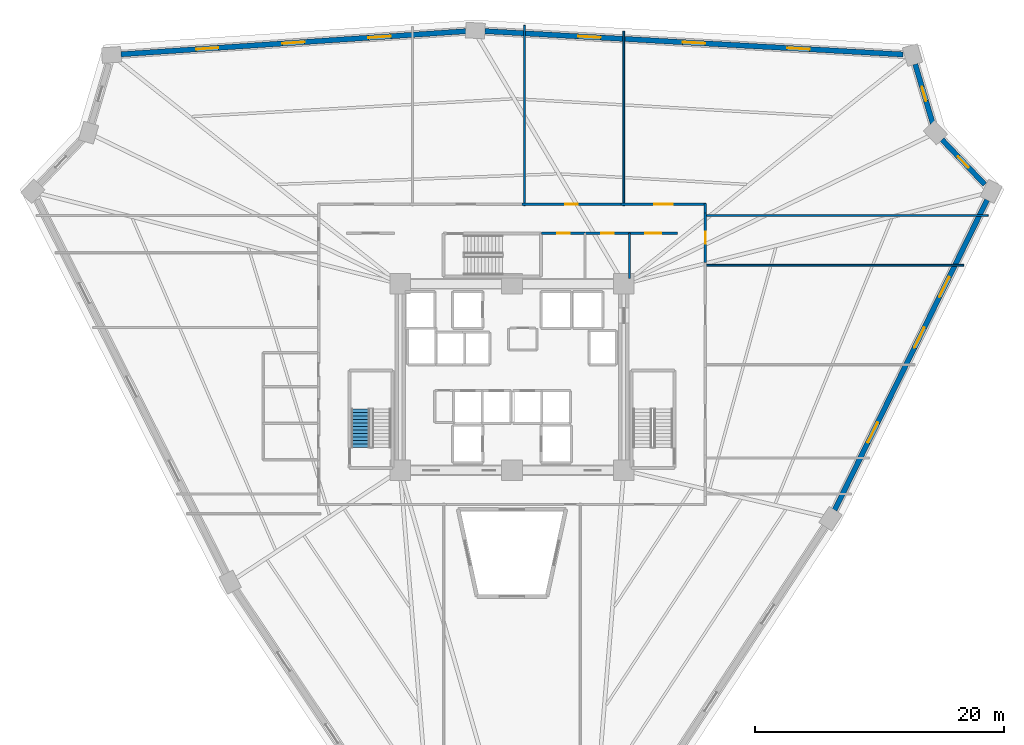
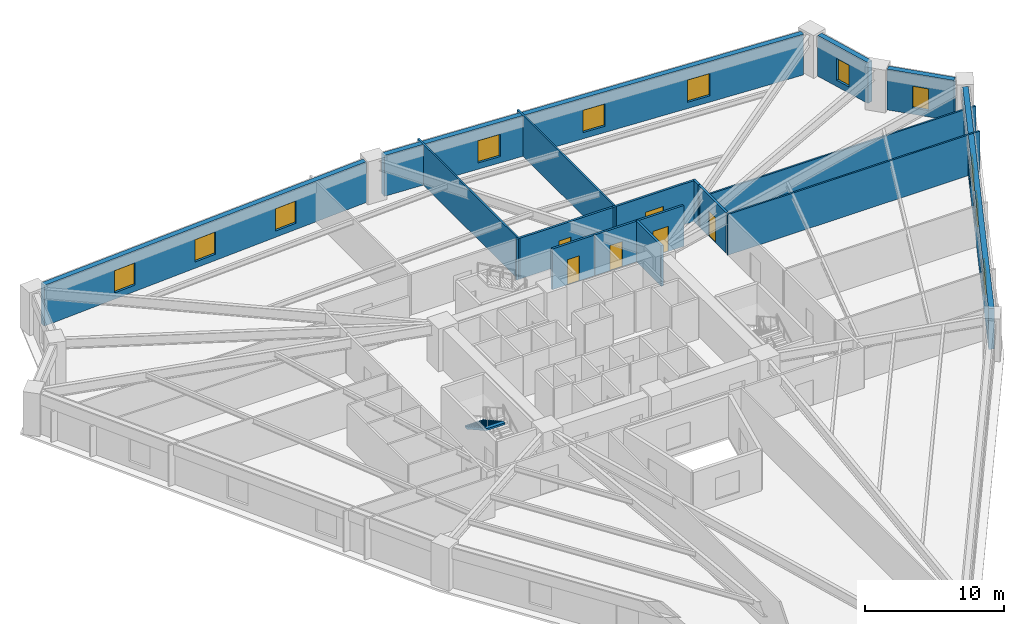
# One storey, part 7 of 9: 17 walls, 11 windows, 6 doors, 1 stair flight, 17 openings, 1 element without a shape of its own.
"""IFC4 building model written with IfcOpenShell, lengths in metres."""

from ifc_helpers import new_model, si_unit, direction, frame, frame_2d, origin, place, context, subcontext, project, spatial, polyline, rectangle, outline, extrude, source, transform, mapped, material, layer, layer_set, type_object, element, fill, aggregate, save


model = new_model("IFC4")

# Units and contexts
model_context = context("Model", 3, precision=1e-05, world=origin(), true_north=direction((0.0, 1.0)))
body_context = subcontext(model_context, "Body", "Model", "MODEL_VIEW")
ifc_project = project(units=[si_unit("LENGTHUNIT", "METRE"), si_unit("AREAUNIT", "SQUARE_METRE"), si_unit("VOLUMEUNIT", "CUBIC_METRE"), si_unit("PLANEANGLEUNIT", "RADIAN"), si_unit("MASSUNIT", "GRAM", prefix="KILO")], contexts=[model_context])

# Site, building, storey
site_placement = place(None, origin())
site = spatial("IfcSite", under=ifc_project, at=site_placement, CompositionType="ELEMENT")
building_placement = place(site_placement, origin())
building = spatial("IfcBuilding", under=site, at=building_placement, Name="Liaohun Quay Tower", CompositionType="ELEMENT")
storey_placement = place(building_placement, frame((0.0, 0.0, 59.25)))
storey = spatial("IfcBuildingStorey", under=building, at=storey_placement, Name="L15", CompositionType="ELEMENT", Elevation=59.25)

# Wall, openings, windows
ifc_material_1 = material(Name="Precast concrete C50 insulated sandwich", Category="concrete")
ifc_layer_1 = layer(ifc_material_1, 0.419921875, Name="Precast concrete C50 insulated sandwich", Category="concrete")
ifc_layer_set_1 = layer_set([ifc_layer_1], Name="Precast concrete C50 insulated sandwich")
wall_type_1 = type_object("IfcWallType", Name="WAL-EXT-Z12", PredefinedType="SOLIDWALL", material=ifc_layer_set_1)
wall_1_placement = place(storey_placement, frame((85.967041015625, 43.301025390625, 0.0), z_axis=(0.0, 0.0, 1.0), x_axis=(0.441079786623, 0.897467894597, 0.0)))
wall_1 = element("IfcWall", 1, at=wall_1_placement, inside=storey, type_object=wall_type_1, Name="L15 Brutalist Precast Pier Wall 03", PredefinedType="SOLIDWALL", context=body_context, shape_type="SweptSolid", body=[
    extrude(rectangle(XDim=27.813720703125, YDim=0.419921875, at=frame_2d((13.90673828125, 0.0))), origin(), (0.0, 0.0, 1.0), 3.570068359375),
])
shared_shape_1 = source(origin(), body_context, "Body", "SweptSolid", [
    extrude(rectangle(XDim=1.800048828125, YDim=1.949951171875, at=frame_2d((0.89990234375, 0.97509765625))), frame((0.0, 0.219970703125, 0.0), z_axis=(0.0, -1.0, 0.0), x_axis=(1.0, 0.0, 0.0)), (0.0, 0.0, 1.0), 0.43994140625),
])
opening_1_placement = place(wall_1_placement, frame((6.052978515625, 0.0, 0.550048828125)))
opening_1 = element("IfcOpeningElement", 2, at=opening_1_placement, cuts=wall_1, Name="Opening W01", PredefinedType="OPENING", context=body_context, shape_type="MappedRepresentation", body=[
    mapped(shared_shape_1, transform((0.0, 0.0, 0.0), x_axis=(1.0, 0.0, 0.0), y_axis=(0.0, 1.0, 0.0), z_axis=(0.0, 0.0, 1.0), scale=1.0)),
])
opening_2_placement = place(wall_1_placement, frame((14.556884765625, 0.0, 0.550048828125)))
opening_2 = element("IfcOpeningElement", 3, at=opening_2_placement, cuts=wall_1, Name="Opening W01", PredefinedType="OPENING", context=body_context, shape_type="MappedRepresentation", body=[
    mapped(shared_shape_1, transform((0.0, 0.0, 0.0), x_axis=(1.0, 0.0, 0.0), y_axis=(0.0, 1.0, 0.0), z_axis=(0.0, 0.0, 1.0), scale=1.0)),
])
opening_3_placement = place(wall_1_placement, frame((19.110107421875, 0.0, 0.550048828125)))
opening_3 = element("IfcOpeningElement", 4, at=opening_3_placement, cuts=wall_1, Name="Opening W01", PredefinedType="OPENING", context=body_context, shape_type="MappedRepresentation", body=[
    mapped(shared_shape_1, transform((0.0, 0.0, 0.0), x_axis=(1.0, 0.0, 0.0), y_axis=(0.0, 1.0, 0.0), z_axis=(0.0, 0.0, 1.0), scale=1.0)),
])
ifc_material_2 = material(Name="Triple Low-E argon glazing in thermally broken aluminium", Category="aluminium")
window_type_1 = type_object("IfcWindowType", Name="WIN-PUN-Z1", PartitioningType="DOUBLE_PANEL_VERTICAL", PredefinedType="WINDOW", material=ifc_material_2)
shared_shape_2 = source(origin(), body_context, "Body", "SweptSolid", [
    extrude(rectangle(XDim=1.800048828125, YDim=1.949951171875, at=frame_2d((0.89990234375, 0.97509765625))), frame((0.0, 0.030029296875, 0.0), z_axis=(0.0, -1.0, 0.0), x_axis=(1.0, 0.0, 0.0)), (0.0, 0.0, 1.0), 0.06005859375),
])
window_1_placement = place(opening_1_placement, origin())
window_1 = element("IfcWindow", 5, at=window_1_placement, inside=storey, type_object=window_type_1, Name="L15 Recessed Cold-Climate Punched Window 03-1", OverallHeight=1.949951171875, OverallWidth=1.800048828125, PartitioningType="DOUBLE_PANEL_VERTICAL", PredefinedType="WINDOW", context=body_context, shape_type="MappedRepresentation", body=[
    mapped(shared_shape_2, transform((0.0, 0.0, 0.0), x_axis=(1.0, 0.0, 0.0), y_axis=(0.0, 1.0, 0.0), z_axis=(0.0, 0.0, 1.0), scale=1.0)),
])
fill(opening_1, window_1)
window_2_placement = place(opening_2_placement, origin())
window_2 = element("IfcWindow", 6, at=window_2_placement, inside=storey, type_object=window_type_1, Name="L15 Recessed Cold-Climate Punched Window 03-2", OverallHeight=1.949951171875, OverallWidth=1.800048828125, PartitioningType="DOUBLE_PANEL_VERTICAL", PredefinedType="WINDOW", context=body_context, shape_type="MappedRepresentation", body=[
    mapped(shared_shape_2, transform((0.0, 0.0, 0.0), x_axis=(1.0, 0.0, 0.0), y_axis=(0.0, 1.0, 0.0), z_axis=(0.0, 0.0, 1.0), scale=1.0)),
])
fill(opening_2, window_2)
window_3_placement = place(opening_3_placement, origin())
window_3 = element("IfcWindow", 7, at=window_3_placement, inside=storey, type_object=window_type_1, Name="L15 Recessed Cold-Climate Punched Window 03-3", OverallHeight=1.949951171875, OverallWidth=1.800048828125, PartitioningType="DOUBLE_PANEL_VERTICAL", PredefinedType="WINDOW", context=body_context, shape_type="MappedRepresentation", body=[
    mapped(shared_shape_2, transform((0.0, 0.0, 0.0), x_axis=(1.0, 0.0, 0.0), y_axis=(0.0, 1.0, 0.0), z_axis=(0.0, 0.0, 1.0), scale=1.0)),
])
fill(opening_3, window_3)

# Wall, opening, window
wall_2_placement = place(storey_placement, frame((98.044921875, 69.50390625, 0.0), z_axis=(0.0, 0.0, 1.0), x_axis=(-0.689330241698, 0.724447249895, 0.0)))
wall_2 = element("IfcWall", 8, at=wall_2_placement, inside=storey, type_object=wall_type_1, Name="L15 Brutalist Precast Pier Wall 04", PredefinedType="SOLIDWALL", context=body_context, shape_type="SweptSolid", body=[
    extrude(rectangle(XDim=4.99169921875, YDim=0.419921875, at=frame_2d((2.495849609375, 0.0))), origin(), (0.0, 0.0, 1.0), 3.570068359375),
])
shared_shape_3 = source(origin(), body_context, "Body", "SweptSolid", [
    extrude(rectangle(XDim=1.199951171875, YDim=1.89990234375, at=frame_2d((0.60009765625, 0.949951171875))), frame((0.0, 0.219970703125, 0.0), z_axis=(0.0, -1.0, 0.0), x_axis=(1.0, 0.0, 0.0)), (0.0, 0.0, 1.0), 0.43994140625),
])
opening_4_placement = place(wall_2_placement, frame((1.89599609375, 0.0, 0.550048828125)))
opening_4 = element("IfcOpeningElement", 9, at=opening_4_placement, cuts=wall_2, Name="Opening W05", PredefinedType="OPENING", context=body_context, shape_type="MappedRepresentation", body=[
    mapped(shared_shape_3, transform((0.0, 0.0, 0.0), x_axis=(1.0, 0.0, 0.0), y_axis=(0.0, 1.0, 0.0), z_axis=(0.0, 0.0, 1.0), scale=1.0)),
])
ifc_material_3 = material(Name="Triple Low-E corner notch glazing", Category="glass")
window_type_2 = type_object("IfcWindowType", Name="WIN-NOTCH", PartitioningType="SINGLE_PANEL", PredefinedType="WINDOW", material=ifc_material_3)
shared_shape_4 = source(origin(), body_context, "Body", "SweptSolid", [
    extrude(rectangle(XDim=1.199951171875, YDim=1.89990234375, at=frame_2d((0.60009765625, 0.949951171875))), frame((0.0, 0.030029296875, 0.0), z_axis=(0.0, -1.0, 0.0), x_axis=(1.0, 0.0, 0.0)), (0.0, 0.0, 1.0), 0.06005859375),
])
window_4_placement = place(opening_4_placement, origin())
window_4 = element("IfcWindow", 10, at=window_4_placement, inside=storey, type_object=window_type_2, Name="L15 Corner Notch Window W05-04", OverallHeight=1.89990234375, OverallWidth=1.199951171875, PartitioningType="SINGLE_PANEL", PredefinedType="WINDOW", context=body_context, shape_type="MappedRepresentation", body=[
    mapped(shared_shape_4, transform((0.0, 0.0, 0.0), x_axis=(1.0, 0.0, 0.0), y_axis=(0.0, 1.0, 0.0), z_axis=(0.0, 0.0, 1.0), scale=1.0)),
])
fill(opening_4, window_4)

wall_3_placement = place(storey_placement, frame((93.861083984375, 74.407958984375, 0.0), z_axis=(0.0, 0.0, 1.0), x_axis=(-0.282900765271, 0.959149183917, 0.0)))
wall_3 = element("IfcWall", 11, at=wall_3_placement, inside=storey, type_object=wall_type_1, Name="L15 Brutalist Precast Pier Wall 05", PredefinedType="SOLIDWALL", context=body_context, shape_type="SweptSolid", body=[
    extrude(rectangle(XDim=4.984619140625, YDim=0.419921875, at=frame_2d((2.4921875, 0.0))), origin(), (0.0, 0.0, 1.0), 3.570068359375),
])
opening_5_placement = place(wall_3_placement, frame((1.89208984375, 0.0, 0.550048828125)))
opening_5 = element("IfcOpeningElement", 12, at=opening_5_placement, cuts=wall_3, Name="Opening W05", PredefinedType="OPENING", context=body_context, shape_type="MappedRepresentation", body=[
    mapped(shared_shape_3, transform((0.0, 0.0, 0.0), x_axis=(1.0, 0.0, 0.0), y_axis=(0.0, 1.0, 0.0), z_axis=(0.0, 0.0, 1.0), scale=1.0)),
])
window_5_placement = place(opening_5_placement, origin())
window_5 = element("IfcWindow", 13, at=window_5_placement, inside=storey, type_object=window_type_2, Name="L15 Corner Notch Window W05-05", OverallHeight=1.89990234375, OverallWidth=1.199951171875, PartitioningType="SINGLE_PANEL", PredefinedType="WINDOW", context=body_context, shape_type="MappedRepresentation", body=[
    mapped(shared_shape_4, transform((0.0, 0.0, 0.0), x_axis=(1.0, 0.0, 0.0), y_axis=(0.0, 1.0, 0.0), z_axis=(0.0, 0.0, 1.0), scale=1.0)),
])
fill(opening_5, window_5)

# Wall, openings, windows
wall_4_placement = place(storey_placement, frame((91.470947265625, 79.966064453125, 0.0), z_axis=(0.0, 0.0, 1.0), x_axis=(-0.998444156387, 0.055760797854, 0.0)))
wall_4 = element("IfcWall", 14, at=wall_4_placement, inside=storey, type_object=wall_type_1, Name="L15 Brutalist Precast Pier Wall 06", PredefinedType="SOLIDWALL", context=body_context, shape_type="SweptSolid", body=[
    extrude(rectangle(XDim=33.71337890625, YDim=0.419921875, at=frame_2d((16.856689453125, 0.0))), origin(), (0.0, 0.0, 1.0), 3.570068359375),
])
opening_6_placement = place(wall_4_placement, frame((7.528076171875, 0.0, 0.550048828125)))
opening_6 = element("IfcOpeningElement", 15, at=opening_6_placement, cuts=wall_4, Name="Opening W01", PredefinedType="OPENING", context=body_context, shape_type="MappedRepresentation", body=[
    mapped(shared_shape_1, transform((0.0, 0.0, 0.0), x_axis=(1.0, 0.0, 0.0), y_axis=(0.0, 1.0, 0.0), z_axis=(0.0, 0.0, 1.0), scale=1.0)),
])
opening_7_placement = place(wall_4_placement, frame((15.95703125, 0.0, 0.550048828125)))
opening_7 = element("IfcOpeningElement", 16, at=opening_7_placement, cuts=wall_4, Name="Opening W01", PredefinedType="OPENING", context=body_context, shape_type="MappedRepresentation", body=[
    mapped(shared_shape_1, transform((0.0, 0.0, 0.0), x_axis=(1.0, 0.0, 0.0), y_axis=(0.0, 1.0, 0.0), z_axis=(0.0, 0.0, 1.0), scale=1.0)),
])
opening_8_placement = place(wall_4_placement, frame((24.385009765625, 0.0, 0.550048828125)))
opening_8 = element("IfcOpeningElement", 17, at=opening_8_placement, cuts=wall_4, Name="Opening W01", PredefinedType="OPENING", context=body_context, shape_type="MappedRepresentation", body=[
    mapped(shared_shape_1, transform((0.0, 0.0, 0.0), x_axis=(1.0, 0.0, 0.0), y_axis=(0.0, 1.0, 0.0), z_axis=(0.0, 0.0, 1.0), scale=1.0)),
])
window_6_placement = place(opening_6_placement, origin())
window_6 = element("IfcWindow", 18, at=window_6_placement, inside=storey, type_object=window_type_1, Name="L15 Recessed Cold-Climate Punched Window 06-1", OverallHeight=1.949951171875, OverallWidth=1.800048828125, PartitioningType="DOUBLE_PANEL_VERTICAL", PredefinedType="WINDOW", context=body_context, shape_type="MappedRepresentation", body=[
    mapped(shared_shape_2, transform((0.0, 0.0, 0.0), x_axis=(1.0, 0.0, 0.0), y_axis=(0.0, 1.0, 0.0), z_axis=(0.0, 0.0, 1.0), scale=1.0)),
])
fill(opening_6, window_6)
window_7_placement = place(opening_7_placement, origin())
window_7 = element("IfcWindow", 19, at=window_7_placement, inside=storey, type_object=window_type_1, Name="L15 Recessed Cold-Climate Punched Window 06-2", OverallHeight=1.949951171875, OverallWidth=1.800048828125, PartitioningType="DOUBLE_PANEL_VERTICAL", PredefinedType="WINDOW", context=body_context, shape_type="MappedRepresentation", body=[
    mapped(shared_shape_2, transform((0.0, 0.0, 0.0), x_axis=(1.0, 0.0, 0.0), y_axis=(0.0, 1.0, 0.0), z_axis=(0.0, 0.0, 1.0), scale=1.0)),
])
fill(opening_7, window_7)
window_8_placement = place(opening_8_placement, origin())
window_8 = element("IfcWindow", 20, at=window_8_placement, inside=storey, type_object=window_type_1, Name="L15 Recessed Cold-Climate Punched Window 06-3", OverallHeight=1.949951171875, OverallWidth=1.800048828125, PartitioningType="DOUBLE_PANEL_VERTICAL", PredefinedType="WINDOW", context=body_context, shape_type="MappedRepresentation", body=[
    mapped(shared_shape_2, transform((0.0, 0.0, 0.0), x_axis=(1.0, 0.0, 0.0), y_axis=(0.0, 1.0, 0.0), z_axis=(0.0, 0.0, 1.0), scale=1.0)),
])
fill(opening_8, window_8)

wall_5_placement = place(storey_placement, frame((56.282958984375, 81.837890625, 0.0), z_axis=(0.0, 0.0, 1.0), x_axis=(-0.99776671065, -0.066795142933, 0.0)))
wall_5 = element("IfcWall", 21, at=wall_5_placement, inside=storey, type_object=wall_type_1, Name="L15 Brutalist Precast Pier Wall 07", PredefinedType="SOLIDWALL", context=body_context, shape_type="SweptSolid", body=[
    extrude(rectangle(XDim=27.81494140625, YDim=0.419921875, at=frame_2d((13.907470703125, 0.0))), origin(), (0.0, 0.0, 1.0), 3.570068359375),
])
opening_9_placement = place(wall_5_placement, frame((6.053955078125, 0.0, 0.550048828125)))
opening_9 = element("IfcOpeningElement", 22, at=opening_9_placement, cuts=wall_5, Name="Opening W01", PredefinedType="OPENING", context=body_context, shape_type="MappedRepresentation", body=[
    mapped(shared_shape_1, transform((0.0, 0.0, 0.0), x_axis=(1.0, 0.0, 0.0), y_axis=(0.0, 1.0, 0.0), z_axis=(0.0, 0.0, 1.0), scale=1.0)),
])
opening_10_placement = place(wall_5_placement, frame((13.008056640625, 0.0, 0.550048828125)))
opening_10 = element("IfcOpeningElement", 23, at=opening_10_placement, cuts=wall_5, Name="Opening W01", PredefinedType="OPENING", context=body_context, shape_type="MappedRepresentation", body=[
    mapped(shared_shape_1, transform((0.0, 0.0, 0.0), x_axis=(1.0, 0.0, 0.0), y_axis=(0.0, 1.0, 0.0), z_axis=(0.0, 0.0, 1.0), scale=1.0)),
])
opening_11_placement = place(wall_5_placement, frame((19.9609375, 0.0, 0.550048828125)))
opening_11 = element("IfcOpeningElement", 24, at=opening_11_placement, cuts=wall_5, Name="Opening W01", PredefinedType="OPENING", context=body_context, shape_type="MappedRepresentation", body=[
    mapped(shared_shape_1, transform((0.0, 0.0, 0.0), x_axis=(1.0, 0.0, 0.0), y_axis=(0.0, 1.0, 0.0), z_axis=(0.0, 0.0, 1.0), scale=1.0)),
])
window_9_placement = place(opening_9_placement, origin())
window_9 = element("IfcWindow", 25, at=window_9_placement, inside=storey, type_object=window_type_1, Name="L15 Recessed Cold-Climate Punched Window 07-1", OverallHeight=1.949951171875, OverallWidth=1.800048828125, PartitioningType="DOUBLE_PANEL_VERTICAL", PredefinedType="WINDOW", context=body_context, shape_type="MappedRepresentation", body=[
    mapped(shared_shape_2, transform((0.0, 0.0, 0.0), x_axis=(1.0, 0.0, 0.0), y_axis=(0.0, 1.0, 0.0), z_axis=(0.0, 0.0, 1.0), scale=1.0)),
])
fill(opening_9, window_9)
window_10_placement = place(opening_10_placement, origin())
window_10 = element("IfcWindow", 26, at=window_10_placement, inside=storey, type_object=window_type_1, Name="L15 Recessed Cold-Climate Punched Window 07-2", OverallHeight=1.949951171875, OverallWidth=1.800048828125, PartitioningType="DOUBLE_PANEL_VERTICAL", PredefinedType="WINDOW", context=body_context, shape_type="MappedRepresentation", body=[
    mapped(shared_shape_2, transform((0.0, 0.0, 0.0), x_axis=(1.0, 0.0, 0.0), y_axis=(0.0, 1.0, 0.0), z_axis=(0.0, 0.0, 1.0), scale=1.0)),
])
fill(opening_10, window_10)
window_11_placement = place(opening_11_placement, origin())
window_11 = element("IfcWindow", 27, at=window_11_placement, inside=storey, type_object=window_type_1, Name="L15 Recessed Cold-Climate Punched Window 07-3", OverallHeight=1.949951171875, OverallWidth=1.800048828125, PartitioningType="DOUBLE_PANEL_VERTICAL", PredefinedType="WINDOW", context=body_context, shape_type="MappedRepresentation", body=[
    mapped(shared_shape_2, transform((0.0, 0.0, 0.0), x_axis=(1.0, 0.0, 0.0), y_axis=(0.0, 1.0, 0.0), z_axis=(0.0, 0.0, 1.0), scale=1.0)),
])
fill(opening_11, window_11)

# Wall, opening, door
ifc_material_4 = material(Name="Autoclaved aerated concrete blockwork", Category="masonry")
ifc_layer_2 = layer(ifc_material_4, 0.179931640625, Name="Autoclaved aerated concrete blockwork", Category="masonry")
ifc_layer_set_2 = layer_set([ifc_layer_2], Name="Autoclaved aerated concrete blockwork")
wall_type_2 = type_object("IfcWallType", Name="WAL-PRT-COR", PredefinedType="PARTITIONING", material=ifc_layer_set_2)
wall_6_placement = place(storey_placement, frame((62.389892578125, 65.580078125, 0.0), z_axis=(0.0, 0.0, 1.0), x_axis=(1.0, 0.0, 0.0)))
wall_6 = element("IfcWall", 28, at=wall_6_placement, inside=storey, type_object=wall_type_2, Name="L15 Interior Partition Wall 006", PredefinedType="PARTITIONING", context=body_context, shape_type="SweptSolid", body=[
    extrude(rectangle(XDim=3.489990234375, YDim=0.179931640625, at=frame_2d((1.7451171875, 0.0))), origin(), (0.0, 0.0, 1.0), 3.570068359375),
])
shared_shape_5 = source(origin(), body_context, "Body", "SweptSolid", [
    extrude(rectangle(XDim=1.0, YDim=2.199951171875, at=frame_2d((0.5, 1.10009765625))), frame((0.0, 0.099853515625, 0.0), z_axis=(0.0, -1.0, 0.0), x_axis=(1.0, 0.0, 0.0)), (0.0, 0.0, 1.0), 0.199951171875),
])
opening_12_placement = place(wall_6_placement, frame((1.2451171875, 0.0, 0.0)))
opening_12 = element("IfcOpeningElement", 29, at=opening_12_placement, cuts=wall_6, Name="Opening OD1", PredefinedType="OPENING", context=body_context, shape_type="MappedRepresentation", body=[
    mapped(shared_shape_5, transform((0.0, 0.0, 0.0), x_axis=(1.0, 0.0, 0.0), y_axis=(0.0, 1.0, 0.0), z_axis=(0.0, 0.0, 1.0), scale=1.0)),
])
ifc_material_5 = material(Name="Solid-core oak veneer timber leaf in steel frame", Category="steel")
door_type_1 = type_object("IfcDoorType", Name="DOR-OFF-1000", OperationType="NOTDEFINED", PredefinedType="DOOR", material=ifc_material_5)
shared_shape_6 = source(origin(), body_context, "Body", "SweptSolid", [
    extrude(rectangle(XDim=1.0, YDim=2.199951171875, at=frame_2d((0.5, 1.10009765625))), frame((0.0, 0.02490234375, 0.0), z_axis=(0.0, -1.0, 0.0), x_axis=(1.0, 0.0, 0.0)), (0.0, 0.0, 1.0), 0.050048828125),
])
door_1_placement = place(opening_12_placement, origin())
door_1 = element("IfcDoor", 30, at=door_1_placement, inside=storey, type_object=door_type_1, Name="L15 North-East Archive Store Door", OperationType="SINGLE_SWING_LEFT", OverallHeight=2.199951171875, OverallWidth=1.0, PredefinedType="DOOR", context=body_context, shape_type="MappedRepresentation", body=[
    mapped(shared_shape_6, transform((0.0, 0.0, 0.0), x_axis=(1.0, 0.0, 0.0), y_axis=(0.0, 1.0, 0.0), z_axis=(0.0, 0.0, 1.0), scale=1.0)),
])
fill(opening_12, door_1)

wall_7_placement = place(storey_placement, frame((65.919921875, 65.580078125, 0.0), z_axis=(0.0, 0.0, 1.0), x_axis=(1.0, 0.0, 0.0)))
wall_7 = element("IfcWall", 31, at=wall_7_placement, inside=storey, type_object=wall_type_2, Name="L15 Interior Partition Wall 007", PredefinedType="PARTITIONING", context=body_context, shape_type="SweptSolid", body=[
    extrude(rectangle(XDim=3.5400390625, YDim=0.179931640625, at=frame_2d((1.77001953125, 0.0))), origin(), (0.0, 0.0, 1.0), 3.570068359375),
])
opening_13_placement = place(wall_7_placement, frame((1.27001953125, 0.0, 0.0)))
opening_13 = element("IfcOpeningElement", 32, at=opening_13_placement, cuts=wall_7, Name="Opening OD1", PredefinedType="OPENING", context=body_context, shape_type="MappedRepresentation", body=[
    mapped(shared_shape_5, transform((0.0, 0.0, 0.0), x_axis=(1.0, 0.0, 0.0), y_axis=(0.0, 1.0, 0.0), z_axis=(0.0, 0.0, 1.0), scale=1.0)),
])
door_2_placement = place(opening_13_placement, origin())
door_2 = element("IfcDoor", 33, at=door_2_placement, inside=storey, type_object=door_type_1, Name="L15 North-East Pantry Room Door", OperationType="SINGLE_SWING_RIGHT", OverallHeight=2.199951171875, OverallWidth=1.0, PredefinedType="DOOR", context=body_context, shape_type="MappedRepresentation", body=[
    mapped(shared_shape_6, transform((0.0, 0.0, 0.0), x_axis=(1.0, 0.0, 0.0), y_axis=(0.0, 1.0, 0.0), z_axis=(0.0, 0.0, 1.0), scale=1.0)),
])
fill(opening_13, door_2)

wall_8_placement = place(storey_placement, frame((69.4599609375, 65.580078125, 0.0), z_axis=(0.0, 0.0, 1.0), x_axis=(1.0, 0.0, 0.0)))
wall_8 = element("IfcWall", 34, at=wall_8_placement, inside=storey, type_object=wall_type_2, Name="L15 Interior Partition Wall 009", PredefinedType="PARTITIONING", context=body_context, shape_type="SweptSolid", body=[
    extrude(rectangle(XDim=3.840087890625, YDim=0.179931640625, at=frame_2d((1.919921875, 0.0))), origin(), (0.0, 0.0, 1.0), 3.570068359375),
])
shared_shape_7 = source(origin(), body_context, "Body", "SweptSolid", [
    extrude(rectangle(XDim=1.300048828125, YDim=2.199951171875, at=frame_2d((0.64990234375, 1.10009765625))), frame((0.0, 0.099853515625, 0.0), z_axis=(0.0, -1.0, 0.0), x_axis=(1.0, 0.0, 0.0)), (0.0, 0.0, 1.0), 0.199951171875),
])
opening_14_placement = place(wall_8_placement, frame((1.27001953125, 0.0, 0.0)))
opening_14 = element("IfcOpeningElement", 35, at=opening_14_placement, cuts=wall_8, Name="Opening FD1", PredefinedType="OPENING", context=body_context, shape_type="MappedRepresentation", body=[
    mapped(shared_shape_7, transform((0.0, 0.0, 0.0), x_axis=(1.0, 0.0, 0.0), y_axis=(0.0, 1.0, 0.0), z_axis=(0.0, 0.0, 1.0), scale=1.0)),
])
ifc_material_6 = material(Name="Galvanised steel smokeproof fire door", Category="steel")
door_type_2 = type_object("IfcDoorType", Name="DOR-FFL-1300", OperationType="NOTDEFINED", PredefinedType="DOOR", material=ifc_material_6)
shared_shape_8 = source(origin(), body_context, "Body", "SweptSolid", [
    extrude(rectangle(XDim=1.300048828125, YDim=2.199951171875, at=frame_2d((0.64990234375, 1.10009765625))), frame((0.0, 0.02490234375, 0.0), z_axis=(0.0, -1.0, 0.0), x_axis=(1.0, 0.0, 0.0)), (0.0, 0.0, 1.0), 0.050048828125),
])
door_3_placement = place(opening_14_placement, origin())
door_3 = element("IfcDoor", 36, at=door_3_placement, inside=storey, type_object=door_type_2, Name="L15 East Core Vestibule Door", OperationType="SINGLE_SWING_RIGHT", OverallHeight=2.199951171875, OverallWidth=1.300048828125, PredefinedType="DOOR", context=body_context, shape_type="MappedRepresentation", body=[
    mapped(shared_shape_8, transform((0.0, 0.0, 0.0), x_axis=(1.0, 0.0, 0.0), y_axis=(0.0, 1.0, 0.0), z_axis=(0.0, 0.0, 1.0), scale=1.0)),
])
fill(opening_14, door_3)

wall_9_placement = place(storey_placement, frame((75.56005859375, 67.215087890625, 0.0), z_axis=(0.0, 0.0, 1.0), x_axis=(0.0, -1.0, 0.0)))
wall_9 = element("IfcWall", 37, at=wall_9_placement, inside=storey, type_object=wall_type_2, Name="L15 Interior Partition Wall 011", PredefinedType="PARTITIONING", context=body_context, shape_type="SweptSolid", body=[
    extrude(rectangle(XDim=4.0, YDim=0.179931640625, at=frame_2d((2.0, 0.0))), origin(), (0.0, 0.0, 1.0), 3.570068359375),
])
opening_15_placement = place(wall_9_placement, frame((1.5, 0.0, 0.0)))
opening_15 = element("IfcOpeningElement", 38, at=opening_15_placement, cuts=wall_9, Name="Opening OD1", PredefinedType="OPENING", context=body_context, shape_type="MappedRepresentation", body=[
    mapped(shared_shape_5, transform((0.0, 0.0, 0.0), x_axis=(1.0, 0.0, 0.0), y_axis=(0.0, 1.0, 0.0), z_axis=(0.0, 0.0, 1.0), scale=1.0)),
])
door_4_placement = place(opening_15_placement, origin())
door_4 = element("IfcDoor", 39, at=door_4_placement, inside=storey, type_object=door_type_1, Name="L15 Digital Prototyping Laboratory 02 Door", OperationType="SINGLE_SWING_RIGHT", OverallHeight=2.199951171875, OverallWidth=1.0, PredefinedType="DOOR", context=body_context, shape_type="MappedRepresentation", body=[
    mapped(shared_shape_6, transform((0.0, 0.0, 0.0), x_axis=(1.0, 0.0, 0.0), y_axis=(0.0, 1.0, 0.0), z_axis=(0.0, 0.0, 1.0), scale=1.0)),
])
fill(opening_15, door_4)

wall_10_placement = place(storey_placement, frame((68.784912109375, 67.909912109375, 0.0), z_axis=(0.0, 0.0, 1.0), x_axis=(1.0, 0.0, 0.0)))
wall_10 = element("IfcWall", 40, at=wall_10_placement, inside=storey, type_object=wall_type_2, Name="L15 Interior Partition Wall 012", PredefinedType="PARTITIONING", context=body_context, shape_type="SweptSolid", body=[
    extrude(rectangle(XDim=6.844970703125, YDim=0.179931640625, at=frame_2d((3.42236328125, 0.0))), origin(), (0.0, 0.0, 1.0), 3.570068359375),
])
shared_shape_9 = source(origin(), body_context, "Body", "SweptSolid", [
    extrude(rectangle(XDim=1.5, YDim=2.199951171875, at=frame_2d((0.75, 1.10009765625))), frame((0.0, 0.099853515625, 0.0), z_axis=(0.0, -1.0, 0.0), x_axis=(1.0, 0.0, 0.0)), (0.0, 0.0, 1.0), 0.199951171875),
])
opening_16_placement = place(wall_10_placement, frame((2.672119140625, 0.0, 0.0)))
opening_16 = element("IfcOpeningElement", 41, at=opening_16_placement, cuts=wall_10, Name="Opening OD2", PredefinedType="OPENING", context=body_context, shape_type="MappedRepresentation", body=[
    mapped(shared_shape_9, transform((0.0, 0.0, 0.0), x_axis=(1.0, 0.0, 0.0), y_axis=(0.0, 1.0, 0.0), z_axis=(0.0, 0.0, 1.0), scale=1.0)),
])
ifc_material_7 = material(Name="Acoustic oak veneer double door")
door_type_3 = type_object("IfcDoorType", Name="DOR-OFF-1500", OperationType="DOUBLE_DOOR_SINGLE_SWING", PredefinedType="DOOR", material=ifc_material_7)
shared_shape_10 = source(origin(), body_context, "Body", "SweptSolid", [
    extrude(rectangle(XDim=1.5, YDim=2.199951171875, at=frame_2d((0.75, 1.10009765625))), frame((0.0, 0.02490234375, 0.0), z_axis=(0.0, -1.0, 0.0), x_axis=(1.0, 0.0, 0.0)), (0.0, 0.0, 1.0), 0.050048828125),
])
door_5_placement = place(opening_16_placement, origin())
door_5 = element("IfcDoor", 42, at=door_5_placement, inside=storey, type_object=door_type_3, Name="L15 Architectural Design Studio 03 Door", OperationType="DOUBLE_DOOR_SINGLE_SWING", OverallHeight=2.199951171875, OverallWidth=1.5, PredefinedType="DOOR", context=body_context, shape_type="MappedRepresentation", body=[
    mapped(shared_shape_10, transform((0.0, 0.0, 0.0), x_axis=(1.0, 0.0, 0.0), y_axis=(0.0, 1.0, 0.0), z_axis=(0.0, 0.0, 1.0), scale=1.0)),
])
fill(opening_16, door_5)

wall_11_placement = place(storey_placement, frame((60.784912109375, 67.909912109375, 0.0), z_axis=(0.0, 0.0, 1.0), x_axis=(1.0, 0.0, 0.0)))
wall_11 = element("IfcWall", 43, at=wall_11_placement, inside=storey, type_object=wall_type_2, Name="L15 Interior Partition Wall 013", PredefinedType="PARTITIONING", context=body_context, shape_type="SweptSolid", body=[
    extrude(rectangle(XDim=8.0, YDim=0.179931640625, at=frame_2d((4.0, 0.0))), origin(), (0.0, 0.0, 1.0), 3.570068359375),
])
opening_17_placement = place(wall_11_placement, frame((3.5, 0.0, 0.0)))
opening_17 = element("IfcOpeningElement", 44, at=opening_17_placement, cuts=wall_11, Name="Opening OD1", PredefinedType="OPENING", context=body_context, shape_type="MappedRepresentation", body=[
    mapped(shared_shape_5, transform((0.0, 0.0, 0.0), x_axis=(1.0, 0.0, 0.0), y_axis=(0.0, 1.0, 0.0), z_axis=(0.0, 0.0, 1.0), scale=1.0)),
])
door_6_placement = place(opening_17_placement, origin())
door_6 = element("IfcDoor", 45, at=door_6_placement, inside=storey, type_object=door_type_1, Name="L15 Project Collaboration Studio 04 Door", OperationType="SINGLE_SWING_RIGHT", OverallHeight=2.199951171875, OverallWidth=1.0, PredefinedType="DOOR", context=body_context, shape_type="MappedRepresentation", body=[
    mapped(shared_shape_6, transform((0.0, 0.0, 0.0), x_axis=(1.0, 0.0, 0.0), y_axis=(0.0, 1.0, 0.0), z_axis=(0.0, 0.0, 1.0), scale=1.0)),
])
fill(opening_17, door_6)

# Walls
wall_12_placement = place(storey_placement, frame((69.4599609375, 61.949951171875, 0.0), z_axis=(0.0, 0.0, 1.0), x_axis=(0.0, 1.0, 0.0)))
element("IfcWall", 46, at=wall_12_placement, inside=storey, type_object=wall_type_2, Name="L15 Interior Partition Wall 035", PredefinedType="PARTITIONING", context=body_context, shape_type="SweptSolid", body=[
    extrude(rectangle(XDim=3.630126953125, YDim=0.179931640625, at=frame_2d((1.81494140625, 0.0))), origin(), (0.0, 0.0, 1.0), 3.570068359375),
])
wall_13_placement = place(storey_placement, frame((75.56005859375, 67.97998046875, 0.0), z_axis=(0.0, 0.0, 1.0), x_axis=(0.0, -1.0, 0.0)))
element("IfcWall", 47, at=wall_13_placement, inside=storey, type_object=wall_type_2, Name="L15 Interior Partition Wall 036", PredefinedType="PARTITIONING", context=body_context, shape_type="SweptSolid", body=[
    extrude(rectangle(XDim=0.764892578125, YDim=0.179931640625, at=frame_2d((0.38232421875, 0.0))), origin(), (0.0, 0.0, 1.0), 3.570068359375),
])
ifc_material_8 = material(Name="Gypsum board on twin steel studs", Category="steel")
ifc_layer_3 = layer(ifc_material_8, 0.139892578125, Name="Gypsum board on twin steel studs", Category="steel")
ifc_layer_set_3 = layer_set([ifc_layer_3], Name="Gypsum board on twin steel studs")
wall_type_3 = type_object("IfcWallType", Name="WAL-PRT-OFF", PredefinedType="PARTITIONING", material=ifc_layer_set_3)
wall_14_placement = place(storey_placement, frame((75.4599609375, 63.0, 0.0), z_axis=(0.0, 0.0, 1.0), x_axis=(1.0, 0.0, 0.0)))
element("IfcWall", 48, at=wall_14_placement, inside=storey, type_object=wall_type_3, Name="L15 Interior Partition Wall 049", PredefinedType="PARTITIONING", context=body_context, shape_type="SweptSolid", body=[
    extrude(rectangle(XDim=20.89013671875, YDim=0.139892578125, at=frame_2d((10.445068359375, 0.0))), origin(), (0.0, 0.0, 1.0), 3.570068359375),
])
wall_15_placement = place(storey_placement, frame((75.4599609375, 67.0, 0.0), z_axis=(0.0, 0.0, 1.0), x_axis=(1.0, 0.0, 0.0)))
element("IfcWall", 49, at=wall_15_placement, inside=storey, type_object=wall_type_3, Name="L15 Interior Partition Wall 050", PredefinedType="PARTITIONING", context=body_context, shape_type="SweptSolid", body=[
    extrude(rectangle(XDim=22.85498046875, YDim=0.139892578125, at=frame_2d((11.427490234375, 0.0))), origin(), (0.0, 0.0, 1.0), 2.655029296875),
])
wall_16_placement = place(storey_placement, frame((61.0, 67.81005859375, 0.0), z_axis=(0.0, 0.0, 1.0), x_axis=(0.0, 1.0, 0.0)))
element("IfcWall", 50, at=wall_16_placement, inside=storey, type_object=wall_type_3, Name="L15 Interior Partition Wall 052", PredefinedType="PARTITIONING", context=body_context, shape_type="SweptSolid", body=[
    extrude(rectangle(XDim=14.489013671875, YDim=0.139892578125, at=frame_2d((7.24462890625, 0.0))), origin(), (0.0, 0.0, 1.0), 3.570068359375),
])
wall_17_placement = place(storey_placement, frame((69.0, 67.81005859375, 0.0), z_axis=(0.0, 0.0, 1.0), x_axis=(0.0, 1.0, 0.0)))
element("IfcWall", 51, at=wall_17_placement, inside=storey, type_object=wall_type_3, Name="L15 Interior Partition Wall 053", PredefinedType="PARTITIONING", context=body_context, shape_type="SweptSolid", body=[
    extrude(rectangle(XDim=14.0419921875, YDim=0.139892578125, at=frame_2d((7.02099609375, 0.0))), origin(), (0.0, 0.0, 1.0), 3.570068359375),
])

# Stair, stair flight
ifc_material_9 = material(Name="Concrete C45", Category="concrete")
stair_type = type_object("IfcStairType", Name="STR-CORE-OFF", PredefinedType="HALF_TURN_STAIR", material=ifc_material_9)
stair_placement = place(storey_placement, origin())
stair = element("IfcStair", 52, at=stair_placement, inside=storey, type_object=stair_type, Name="L15 Smokeproof Core Exit Stair ST-1", PredefinedType="HALF_TURN_STAIR")
stair_flight_type = type_object("IfcStairFlightType", Name="FLT-CORE-155", PredefinedType="STRAIGHT", material=ifc_material_9)
stair_flight_placement = place(storey_placement, frame((47.81494140625, 51.429931640625, 1.875), z_axis=(0.0, 0.0, 1.0), x_axis=(0.0, -1.0, 0.0)))
stair_flight = element("IfcStairFlight", 53, at=stair_flight_placement, type_object=stair_flight_type, Name="ST-1 flight 2", NumberOfRisers=12, NumberOfTreads=11, PredefinedType="STRAIGHT", RiserHeight=0.15625, TreadLength=0.28, context=body_context, shape_type="SweptSolid", body=[
    extrude(outline(polyline([(0.0, 0.0), (0.0, 0.15625), (0.280029296875, 0.15625), (0.280029296875, 0.3125), (0.56005859375, 0.3125), (0.56005859375, 0.46875), (0.840087890625, 0.46875), (0.840087890625, 0.625), (1.1201171875, 0.625), (1.1201171875, 0.78125), (1.39990234375, 0.78125), (1.39990234375, 0.9375), (1.679931640625, 0.9375), (1.679931640625, 1.09375), (1.9599609375, 1.09375), (1.9599609375, 1.25), (2.239990234375, 1.25), (2.239990234375, 1.40625), (2.52001953125, 1.40625), (2.52001953125, 1.5625), (2.800048828125, 1.5625), (2.800048828125, 1.71875), (3.080078125, 1.71875), (3.080078125, 1.875), (3.080078125, 1.547119140625), (0.3076171875, 0.0), (0.0, 0.0)])), frame((0.0, 0.77490234375, 0.0), z_axis=(0.0, -1.0, 0.0), x_axis=(1.0, 0.0, 0.0)), (0.0, 0.0, 1.0), 1.550048828125),
])
aggregate(stair, [stair_flight])

save(model, "model.ifc")
